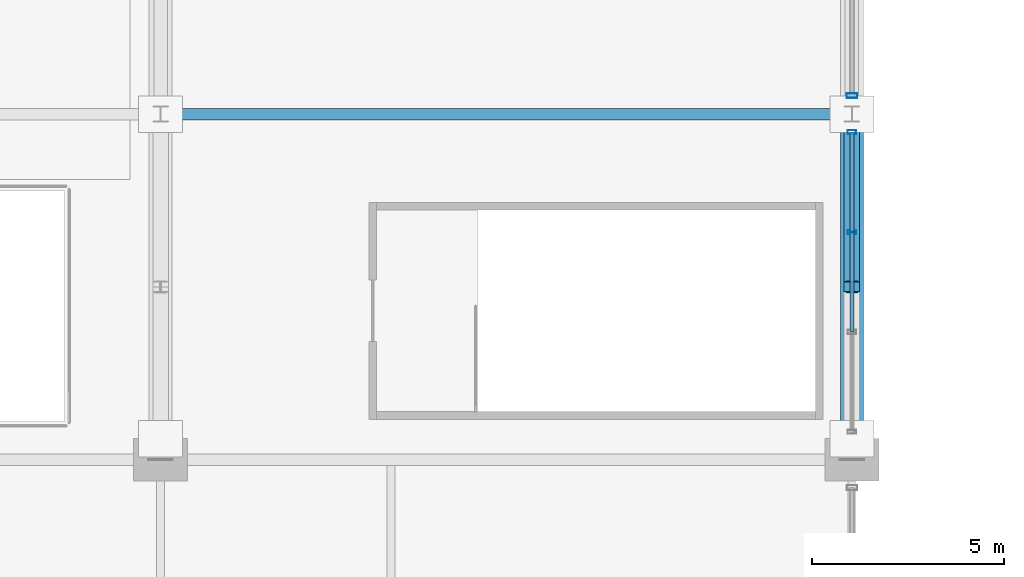
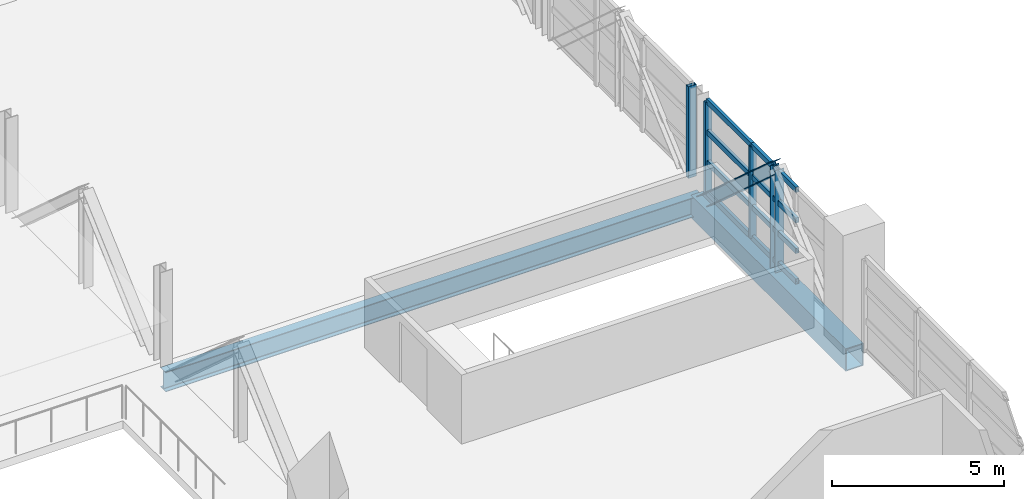
# One storey, part 42 of 136: 13 members, 2 beams, 2 elements without a shape of their own.
"""IFC4 building model written with IfcOpenShell, lengths in metres."""

from ifc_helpers import new_model, si_unit, direction, frame, origin, origin_2d, place, context, subcontext, project, spatial, hollow_rectangle, i_section, extrude, material, material_profile, profile_set, type_object, element, aggregate, save


model = new_model("IFC4")

# Units and contexts
model_context = context("Model", 3, precision=1e-05, world=origin(), true_north=direction((0.0, 1.0)))
body_context = subcontext(model_context, "Body", "Model", "MODEL_VIEW")
ifc_project = project(units=[si_unit("LENGTHUNIT", "METRE"), si_unit("AREAUNIT", "SQUARE_METRE"), si_unit("VOLUMEUNIT", "CUBIC_METRE"), si_unit("PLANEANGLEUNIT", "RADIAN"), si_unit("MASSUNIT", "GRAM", prefix="KILO")], contexts=[model_context])

# Site, building, storey
site_placement = place(None, origin())
site = spatial("IfcSite", under=ifc_project, at=site_placement, CompositionType="ELEMENT")
building_placement = place(site_placement, origin())
building = spatial("IfcBuilding", under=site, at=building_placement, Name="Chuanluo Vaults Station", CompositionType="ELEMENT")
storey_placement = place(building_placement, frame((0.0, 0.0, 6.60009765625)))
storey = spatial("IfcBuildingStorey", under=building, at=storey_placement, Name="L01", CompositionType="ELEMENT", Elevation=6.60009765625)

# Beams
ifc_material_1 = material(Name="Steel Q355C", Category="steel")
ifc_material_profile_1 = material_profile(ifc_material_1, i_section(OverallWidth=0.300048828125, OverallDepth=0.699951171875, WebThickness=0.012939453125, FlangeThickness=0.02392578125, FilletRadius=0.02197265625, at=origin_2d()))
ifc_profile_set_1 = profile_set([ifc_material_profile_1], Name="Steel Q355C")
beam_type_1 = type_object("IfcBeamType", Name="BM-GRD-700", PredefinedType="USERDEFINED", material=ifc_profile_set_1)
beam_1_placement = place(storey_placement, frame((90.0, 76.5, -0.630126953125), z_axis=(1.0, 0.0, 0.0), x_axis=(0.0, 1.0, 0.0)))
element("IfcBeam", 1, at=beam_1_placement, inside=storey, type_object=beam_type_1, Name="Over-track concourse floor girder 6-76", ObjectType="GIRDER", PredefinedType="USERDEFINED", context=body_context, shape_type="SweptSolid", body=[
    extrude(i_section(OverallWidth=0.300048828125, OverallDepth=0.699951171875, WebThickness=0.012939453125, FlangeThickness=0.02392578125, FilletRadius=0.02197265625, at=origin_2d()), origin(), (0.0, 0.0, 1.0), 18.0),
])
ifc_material_2 = material(Name="Steel Q390C", Category="steel")
ifc_material_profile_2 = material_profile(ifc_material_2, hollow_rectangle(XDim=0.60009765625, YDim=0.800048828125, WallThickness=0.031982421875, at=origin_2d()))
ifc_profile_set_2 = profile_set([ifc_material_profile_2], Name="Steel Q390C")
beam_type_2 = type_object("IfcBeamType", Name="BM-TT-BOT", PredefinedType="USERDEFINED", material=ifc_profile_set_2)
beam_2_placement = place(storey_placement, frame((108.0, 67.5, -0.68017578125), z_axis=(0.0, 1.0, 0.0), x_axis=(-1.0, 0.0, 0.0)))
element("IfcBeam", 2, at=beam_2_placement, inside=storey, type_object=beam_type_2, Name="Transfer truss TT-7 bottom chord 1", ObjectType="GIRDER", PredefinedType="USERDEFINED", context=body_context, shape_type="SweptSolid", body=[
    extrude(hollow_rectangle(XDim=0.60009765625, YDim=0.800048828125, WallThickness=0.031982421875, at=origin_2d()), origin(), (0.0, 0.0, 1.0), 9.0),
])

# Curtain wall, members
ifc_material_3 = material(Name="Anodised aluminium 6063-T6", Category="aluminium")
curtain_wall_type_1 = type_object("IfcCurtainWallType", Name="CW-SYS-24", PredefinedType="NOTDEFINED", material=ifc_material_3)
curtain_wall_1_placement = place(storey_placement, origin())
curtain_wall_1 = element("IfcCurtainWall", 3, at=curtain_wall_1_placement, inside=storey, type_object=curtain_wall_type_1, Name="Over-track east hall CW 67", PredefinedType="NOTDEFINED")
ifc_material_4 = material(Name="Anodised aluminium 6063-T6", Category="aluminium")
ifc_material_profile_3 = material_profile(ifc_material_4, hollow_rectangle(XDim=0.10498046875, YDim=0.219970703125, WallThickness=0.006103515625, at=origin_2d()))
ifc_profile_set_3 = profile_set([ifc_material_profile_3], Name="Anodised aluminium 6063-T6")
member_type_1 = type_object("IfcMemberType", Name="CWM-140", PredefinedType="MULLION", material=ifc_profile_set_3)
member_1_placement = place(storey_placement, frame((108.0, 76.02490234375, 0.0), z_axis=(0.0, 0.0, 1.0), x_axis=(0.0, -1.0, 0.0)))
member_1 = element("IfcMember", 4, at=member_1_placement, type_object=member_type_1, Name="Over-track east hall CW 67 mullion 1", PredefinedType="MULLION", context=body_context, shape_type="SweptSolid", body=[
    extrude(hollow_rectangle(XDim=0.10498046875, YDim=0.219970703125, WallThickness=0.006103515625, at=origin_2d()), origin(), (0.0, 0.0, 1.0), 3.25),
])
member_2_placement = place(storey_placement, frame((108.0, 73.425048828125, 0.0), z_axis=(0.0, 0.0, 1.0), x_axis=(0.0, -1.0, 0.0)))
member_2 = element("IfcMember", 5, at=member_2_placement, type_object=member_type_1, Name="Over-track east hall CW 67 mullion 2", PredefinedType="MULLION", context=body_context, shape_type="SweptSolid", body=[
    extrude(hollow_rectangle(XDim=0.10498046875, YDim=0.219970703125, WallThickness=0.006103515625, at=origin_2d()), origin(), (0.0, 0.0, 1.0), 3.25),
])

# Curtain wall, member
ifc_material_5 = material(Name="Anodised aluminium 6063-T6", Category="aluminium")
curtain_wall_type_2 = type_object("IfcCurtainWallType", Name="CW-SYS-26", PredefinedType="NOTDEFINED", material=ifc_material_5)
curtain_wall_2_placement = place(storey_placement, origin())
curtain_wall_2 = element("IfcCurtainWall", 6, at=curtain_wall_2_placement, inside=storey, type_object=curtain_wall_type_2, Name="Over-track east hall CW 76", PredefinedType="NOTDEFINED")
ifc_material_6 = material(Name="Anodised aluminium 6063-T6", Category="aluminium")
ifc_material_profile_4 = material_profile(ifc_material_6, hollow_rectangle(XDim=0.1298828125, YDim=0.280029296875, WallThickness=0.007080078125, at=origin_2d()))
ifc_profile_set_4 = profile_set([ifc_material_profile_4], Name="Anodised aluminium 6063-T6")
member_type_2 = type_object("IfcMemberType", Name="CWM-180", PredefinedType="MULLION", material=ifc_profile_set_4)
member_3_placement = place(storey_placement, frame((108.0, 76.97509765625, 0.0), z_axis=(0.0, 0.0, 1.0), x_axis=(0.0, -1.0, 0.0)))
member_3 = element("IfcMember", 7, at=member_3_placement, type_object=member_type_2, Name="Over-track east hall CW 76 mullion 4", PredefinedType="MULLION", context=body_context, shape_type="SweptSolid", body=[
    extrude(hollow_rectangle(XDim=0.1298828125, YDim=0.280029296875, WallThickness=0.007080078125, at=origin_2d()), origin(), (0.0, 0.0, 1.0), 3.25),
])
aggregate(curtain_wall_2, [member_3])

# Member
ifc_material_7 = material(Name="Anodised aluminium 6063-T6", Category="aluminium")
ifc_material_profile_5 = material_profile(ifc_material_7, hollow_rectangle(XDim=0.10498046875, YDim=0.18505859375, WallThickness=0.0048828125, at=origin_2d()))
ifc_profile_set_5 = profile_set([ifc_material_profile_5], Name="Anodised aluminium 6063-T6")
member_type_3 = type_object("IfcMemberType", Name="CWT-110", PredefinedType="USERDEFINED", material=ifc_profile_set_5)
member_4_placement = place(storey_placement, frame((108.0, 76.02490234375, 0.0), z_axis=(0.0, -1.0, 0.0), x_axis=(1.0, 0.0, 0.0)))
member_4 = element("IfcMember", 8, at=member_4_placement, type_object=member_type_3, Name="Over-track east hall CW 67 transom 1.1", ObjectType="TRANSOM", PredefinedType="USERDEFINED", context=body_context, shape_type="SweptSolid", body=[
    extrude(hollow_rectangle(XDim=0.10498046875, YDim=0.18505859375, WallThickness=0.0048828125, at=origin_2d()), origin(), (0.0, 0.0, 1.0), 2.599853515625),
])

member_5_placement = place(storey_placement, frame((108.0, 76.02490234375, 1.083251953125), z_axis=(0.0, -1.0, 0.0), x_axis=(1.0, 0.0, 0.0)))
member_5 = element("IfcMember", 9, at=member_5_placement, type_object=member_type_3, Name="Over-track east hall CW 67 transom 1.2", ObjectType="TRANSOM", PredefinedType="USERDEFINED", context=body_context, shape_type="SweptSolid", body=[
    extrude(hollow_rectangle(XDim=0.10498046875, YDim=0.18505859375, WallThickness=0.0048828125, at=origin_2d()), origin(), (0.0, 0.0, 1.0), 2.599853515625),
])

member_6_placement = place(storey_placement, frame((108.0, 76.02490234375, 2.16650390625), z_axis=(0.0, -1.0, 0.0), x_axis=(1.0, 0.0, 0.0)))
member_6 = element("IfcMember", 10, at=member_6_placement, type_object=member_type_3, Name="Over-track east hall CW 67 transom 1.3", ObjectType="TRANSOM", PredefinedType="USERDEFINED", context=body_context, shape_type="SweptSolid", body=[
    extrude(hollow_rectangle(XDim=0.10498046875, YDim=0.18505859375, WallThickness=0.0048828125, at=origin_2d()), origin(), (0.0, 0.0, 1.0), 2.599853515625),
])

member_7_placement = place(storey_placement, frame((108.0, 76.02490234375, 3.25), z_axis=(0.0, -1.0, 0.0), x_axis=(1.0, 0.0, 0.0)))
member_7 = element("IfcMember", 11, at=member_7_placement, type_object=member_type_3, Name="Over-track east hall CW 67 transom 1.4", ObjectType="TRANSOM", PredefinedType="USERDEFINED", context=body_context, shape_type="SweptSolid", body=[
    extrude(hollow_rectangle(XDim=0.10498046875, YDim=0.18505859375, WallThickness=0.0048828125, at=origin_2d()), origin(), (0.0, 0.0, 1.0), 2.599853515625),
])

member_8_placement = place(storey_placement, frame((108.0, 73.425048828125, 0.0), z_axis=(0.0, -1.0, 0.0), x_axis=(1.0, 0.0, 0.0)))
member_8 = element("IfcMember", 12, at=member_8_placement, type_object=member_type_3, Name="Over-track east hall CW 67 transom 2.1", ObjectType="TRANSOM", PredefinedType="USERDEFINED", context=body_context, shape_type="SweptSolid", body=[
    extrude(hollow_rectangle(XDim=0.10498046875, YDim=0.18505859375, WallThickness=0.0048828125, at=origin_2d()), origin(), (0.0, 0.0, 1.0), 2.60009765625),
])

member_9_placement = place(storey_placement, frame((108.0, 73.425048828125, 1.083251953125), z_axis=(0.0, -1.0, 0.0), x_axis=(1.0, 0.0, 0.0)))
member_9 = element("IfcMember", 13, at=member_9_placement, type_object=member_type_3, Name="Over-track east hall CW 67 transom 2.2", ObjectType="TRANSOM", PredefinedType="USERDEFINED", context=body_context, shape_type="SweptSolid", body=[
    extrude(hollow_rectangle(XDim=0.10498046875, YDim=0.18505859375, WallThickness=0.0048828125, at=origin_2d()), origin(), (0.0, 0.0, 1.0), 2.60009765625),
])

member_10_placement = place(storey_placement, frame((108.0, 73.425048828125, 2.16650390625), z_axis=(0.0, -1.0, 0.0), x_axis=(1.0, 0.0, 0.0)))
member_10 = element("IfcMember", 14, at=member_10_placement, type_object=member_type_3, Name="Over-track east hall CW 67 transom 2.3", ObjectType="TRANSOM", PredefinedType="USERDEFINED", context=body_context, shape_type="SweptSolid", body=[
    extrude(hollow_rectangle(XDim=0.10498046875, YDim=0.18505859375, WallThickness=0.0048828125, at=origin_2d()), origin(), (0.0, 0.0, 1.0), 2.60009765625),
])

member_11_placement = place(storey_placement, frame((108.0, 73.425048828125, 3.25), z_axis=(0.0, -1.0, 0.0), x_axis=(1.0, 0.0, 0.0)))
member_11 = element("IfcMember", 15, at=member_11_placement, type_object=member_type_3, Name="Over-track east hall CW 67 transom 2.4", ObjectType="TRANSOM", PredefinedType="USERDEFINED", context=body_context, shape_type="SweptSolid", body=[
    extrude(hollow_rectangle(XDim=0.10498046875, YDim=0.18505859375, WallThickness=0.0048828125, at=origin_2d()), origin(), (0.0, 0.0, 1.0), 2.60009765625),
])

aggregate(curtain_wall_1, [member_1, member_2, member_4, member_5, member_6, member_7, member_8, member_9, member_10, member_11])

# Members
ifc_material_8 = material(Name="Steel Q390C", Category="steel")
ifc_material_profile_6 = material_profile(ifc_material_8, i_section(OverallWidth=0.39990234375, OverallDepth=0.407958984375, WebThickness=0.02099609375, FlangeThickness=0.02099609375, FilletRadius=0.02197265625, at=origin_2d()))
ifc_profile_set_6 = profile_set([ifc_material_profile_6], Name="Steel Q390C")
member_type_4 = type_object("IfcMemberType", Name="MEM-DIAG-408", PredefinedType="BRACE", material=ifc_profile_set_6)
member_12_placement = place(storey_placement, frame((108.0, 72.0, 3.349853515625), z_axis=(0.0, 0.744935757439, -0.667136205949), x_axis=(-1.0, 0.0, 0.0)))
element("IfcMember", 16, at=member_12_placement, inside=storey, type_object=member_type_4, Name="Transfer truss TT-7 diagonal 1B", PredefinedType="BRACE", context=body_context, shape_type="SweptSolid", body=[
    extrude(i_section(OverallWidth=0.39990234375, OverallDepth=0.407958984375, WebThickness=0.02099609375, FlangeThickness=0.02099609375, FilletRadius=0.02197265625, at=origin_2d()), origin(), (0.0, 0.0, 1.0), 6.040771484375),
])
ifc_material_9 = material(Name="Steel Q390C", Category="steel")
ifc_material_profile_7 = material_profile(ifc_material_9, i_section(OverallWidth=0.300048828125, OverallDepth=0.300048828125, WebThickness=0.010009765625, FlangeThickness=0.014892578125, FilletRadius=0.01806640625, at=origin_2d()))
ifc_profile_set_7 = profile_set([ifc_material_profile_7], Name="Steel Q390C")
member_type_5 = type_object("IfcMemberType", Name="MEM-VERT-300", PredefinedType="POST", material=ifc_profile_set_7)
member_13_placement = place(storey_placement, frame((108.0, 72.0, -0.68017578125), z_axis=(0.0, 0.0, 1.0), x_axis=(1.0, 0.0, 0.0)))
element("IfcMember", 17, at=member_13_placement, inside=storey, type_object=member_type_5, Name="Transfer truss TT-7 mid-panel hanger 1", PredefinedType="POST", context=body_context, shape_type="SweptSolid", body=[
    extrude(i_section(OverallWidth=0.300048828125, OverallDepth=0.300048828125, WebThickness=0.010009765625, FlangeThickness=0.014892578125, FilletRadius=0.01806640625, at=origin_2d()), origin(), (0.0, 0.0, 1.0), 4.030029296875),
])

save(model, "model.ifc")
